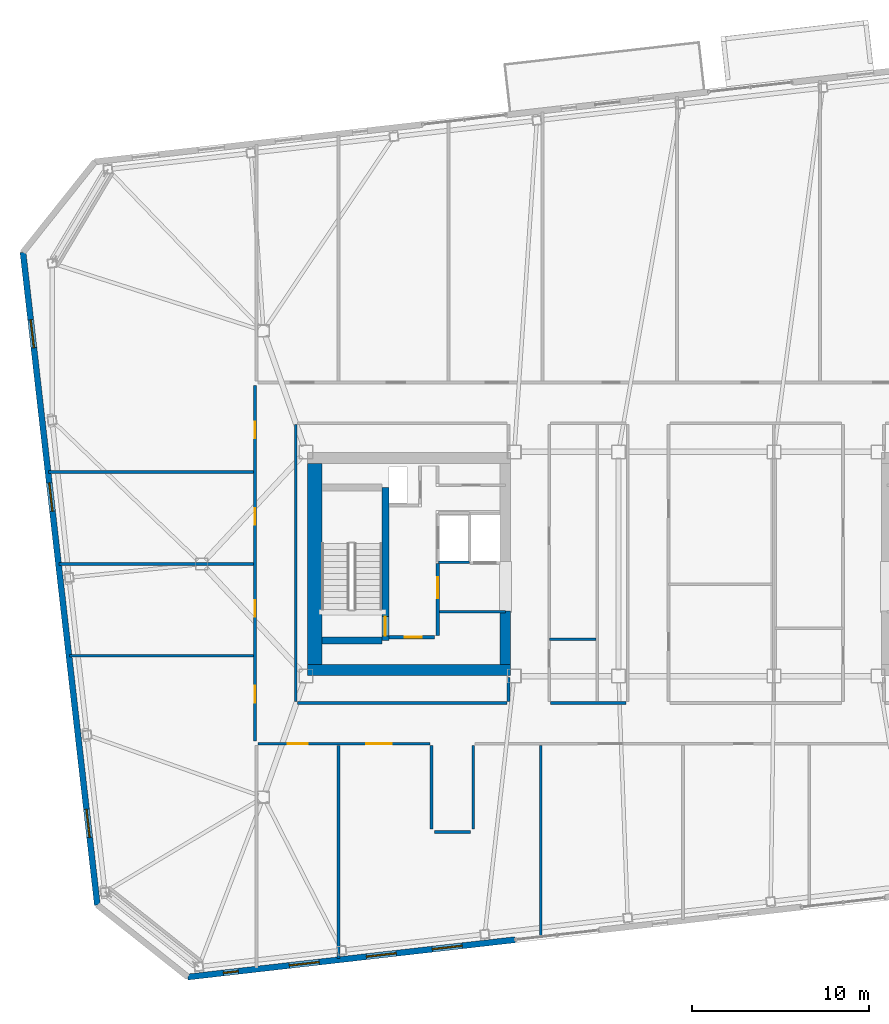
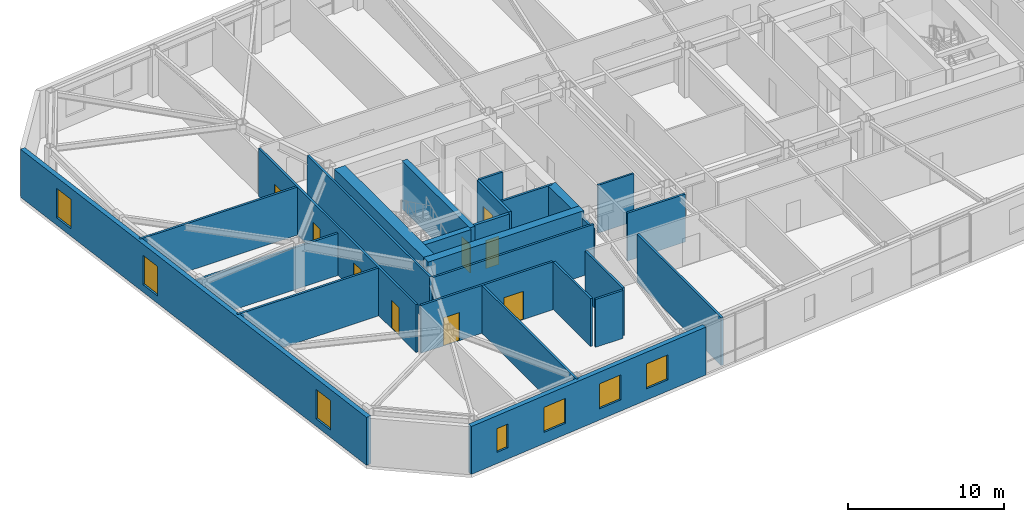
# One storey, part 12 of 20: 26 walls, 9 doors, 7 windows, 16 openings.
"""IFC4 building model written with IfcOpenShell, lengths in metres."""

from ifc_helpers import new_model, si_unit, direction, frame, frame_2d, origin, place, context, subcontext, project, spatial, rectangle, extrude, material, layer, layer_set, type_object, element, fill, save


model = new_model("IFC4")

# Units and contexts
model_context = context("Model", 3, precision=1e-05, world=origin(), true_north=direction((0.0, 1.0)))
body_context = subcontext(model_context, "Body", "Model", "MODEL_VIEW")
ifc_project = project(units=[si_unit("LENGTHUNIT", "METRE"), si_unit("AREAUNIT", "SQUARE_METRE"), si_unit("VOLUMEUNIT", "CUBIC_METRE"), si_unit("PLANEANGLEUNIT", "RADIAN"), si_unit("MASSUNIT", "GRAM", prefix="KILO")], contexts=[model_context])

# Site, building, storey
site_placement = place(None, origin())
site = spatial("IfcSite", under=ifc_project, at=site_placement, CompositionType="ELEMENT")
building_placement = place(site_placement, origin())
building = spatial("IfcBuilding", under=site, at=building_placement, Name="Tavrogorsk Clinical Tower", CompositionType="ELEMENT")
storey_placement = place(building_placement, frame((0.0, 0.0, 251.0)))
storey = spatial("IfcBuildingStorey", under=building, at=storey_placement, Name="L58", CompositionType="ELEMENT", Elevation=251.0)

# Wall, opening, door
ifc_material_1 = material(Name="Concrete B60", Category="concrete")
ifc_layer_1 = layer(ifc_material_1, 0.199951171875)
ifc_layer_set_1 = layer_set([ifc_layer_1], Name="Concrete B60")
wall_type_1 = type_object("IfcWallType", Name="CoreFireWall_200", PredefinedType="SOLIDWALL", material=ifc_layer_set_1)
wall_1_placement = place(storey_placement, frame((-17.3798828125, -4.139892578125, 0.0), z_axis=(0.0, 0.0, 1.0), x_axis=(1.0, 0.0, 0.0)))
wall_1 = element("IfcWall", 1, at=wall_1_placement, inside=storey, type_object=wall_type_1, Name="L58 Core West South Core Room Fire Wall", PredefinedType="SOLIDWALL", context=body_context, shape_type="SweptSolid", body=[
    extrude(rectangle(XDim=2.554931640625, YDim=0.199951171875, at=frame_2d((1.27734375, 0.0))), origin(), (0.0, 0.0, 1.0), 3.739990234375),
])
opening_1_placement = place(wall_1_placement, frame((0.8798828125, 0.0, 0.0)))
opening_1 = element("IfcOpeningElement", 2, at=opening_1_placement, cuts=wall_1, Name="Opening ID-02", PredefinedType="OPENING", context=body_context, shape_type="SweptSolid", body=[
    extrude(rectangle(XDim=0.949951171875, YDim=2.199951171875, at=frame_2d((0.47509765625, 1.10009765625))), frame((0.0, 0.10986328125, 0.0), z_axis=(0.0, -1.0, 0.0), x_axis=(1.0, 0.0, 0.0)), (0.0, 0.0, 1.0), 0.219970703125),
])
ifc_material_2 = material(Name="Laminated timber leaf on aluminium frame", Category="wood")
door_type_1 = type_object("IfcDoorType", Name="InteriorDoor_ID02_950", OperationType="NOTDEFINED", PredefinedType="DOOR", material=ifc_material_2)
door_1_placement = place(opening_1_placement, origin())
door_1 = element("IfcDoor", 3, at=door_1_placement, inside=storey, type_object=door_type_1, Name="L58 Core West South Core Room Door", OperationType="SINGLE_SWING_RIGHT", OverallHeight=2.199951171875, OverallWidth=0.949951171875, PredefinedType="DOOR", context=body_context, shape_type="SweptSolid", body=[
    extrude(rectangle(XDim=0.949951171875, YDim=2.199951171875, at=frame_2d((0.47509765625, 1.10009765625))), frame((0.0, 0.02490234375, 0.0), z_axis=(0.0, -1.0, 0.0), x_axis=(1.0, 0.0, 0.0)), (0.0, 0.0, 1.0), 0.050048828125),
])
fill(opening_1, door_1)

wall_2_placement = place(storey_placement, frame((-14.639892578125, -4.034912109375, 0.0), z_axis=(0.0, 0.0, 1.0), x_axis=(0.0, 1.0, 0.0)))
wall_2 = element("IfcWall", 4, at=wall_2_placement, inside=storey, type_object=wall_type_1, Name="L58 Core West Firefighting Lobby Fire Wall", PredefinedType="SOLIDWALL", context=body_context, shape_type="SweptSolid", body=[
    extrude(rectangle(XDim=4.074951171875, YDim=0.199951171875, at=frame_2d((2.03759765625, 0.0))), origin(), (0.0, 0.0, 1.0), 3.739990234375),
])
opening_2_placement = place(wall_2_placement, frame((2.090087890625, 0.0, 0.0)))
opening_2 = element("IfcOpeningElement", 5, at=opening_2_placement, cuts=wall_2, Name="Opening FD-01", PredefinedType="OPENING", context=body_context, shape_type="SweptSolid", body=[
    extrude(rectangle(XDim=1.199951171875, YDim=2.199951171875, at=frame_2d((0.60009765625, 1.10009765625))), frame((0.0, 0.10986328125, 0.0), z_axis=(0.0, -1.0, 0.0), x_axis=(1.0, 0.0, 0.0)), (0.0, 0.0, 1.0), 0.219970703125),
])
ifc_material_3 = material(Name="Galvanised steel fire-rated door assembly", Category="steel")
door_type_2 = type_object("IfcDoorType", Name="FireDoor_FD01_1200", OperationType="NOTDEFINED", PredefinedType="DOOR", material=ifc_material_3)
door_2_placement = place(opening_2_placement, origin())
door_2 = element("IfcDoor", 6, at=door_2_placement, inside=storey, type_object=door_type_2, Name="L58 Core West Firefighting Lobby Entry Door", OperationType="SINGLE_SWING_RIGHT", OverallHeight=2.199951171875, OverallWidth=1.199951171875, PredefinedType="DOOR", context=body_context, shape_type="SweptSolid", body=[
    extrude(rectangle(XDim=1.199951171875, YDim=2.199951171875, at=frame_2d((0.60009765625, 1.10009765625))), frame((0.0, 0.02490234375, 0.0), z_axis=(0.0, -1.0, 0.0), x_axis=(1.0, 0.0, 0.0)), (0.0, 0.0, 1.0), 0.050048828125),
])
fill(opening_2, door_2)

# Walls
ifc_material_4 = material(Name="Lightweight concrete blockwork B15", Category="masonry")
ifc_layer_2 = layer(ifc_material_4, 0.139892578125)
ifc_layer_set_2 = layer_set([ifc_layer_2], Name="Lightweight concrete blockwork B15")
wall_type_2 = type_object("IfcWallType", Name="PartitionWall_140", PredefinedType="PARTITIONING", material=ifc_layer_set_2)
wall_3_placement = place(storey_placement, frame((-8.31494140625, -4.25, 0.0), z_axis=(0.0, 0.0, 1.0), x_axis=(1.0, 0.0, 0.0)))
element("IfcWall", 7, at=wall_3_placement, inside=storey, type_object=wall_type_2, Name="L58 Central Spine Partition 4", PredefinedType="PARTITIONING", context=body_context, shape_type="SweptSolid", body=[
    extrude(rectangle(XDim=2.639892578125, YDim=0.139892578125, at=frame_2d((1.31982421875, 0.0))), origin(), (0.0, 0.0, 1.0), 3.739990234375),
])
ifc_material_5 = material(Name="Lightweight concrete blockwork B15", Category="masonry")
ifc_layer_3 = layer(ifc_material_5, 0.159912109375)
ifc_layer_set_3 = layer_set([ifc_layer_3], Name="Lightweight concrete blockwork B15")
wall_type_3 = type_object("IfcWallType", Name="PartitionWall_160", PredefinedType="PARTITIONING", material=ifc_layer_set_3)
wall_4_placement = place(storey_placement, frame((-14.534912109375, -2.699951171875, 0.0), z_axis=(0.0, 0.0, 1.0), x_axis=(1.0, 0.0, 0.0)))
element("IfcWall", 8, at=wall_4_placement, inside=storey, type_object=wall_type_3, Name="L58 Core West Freed Mid-Bank North Partition", PredefinedType="PARTITIONING", context=body_context, shape_type="SweptSolid", body=[
    extrude(rectangle(XDim=3.73486328125, YDim=0.159912109375, at=frame_2d((1.867431640625, 0.0))), origin(), (0.0, 0.0, 1.0), 3.739990234375),
])

# Wall, openings, doors
wall_5_placement = place(storey_placement, frame((-24.97998046875, -10.014892578125, 0.0), z_axis=(0.0, 0.0, 1.0), x_axis=(0.0, 1.0, 0.0)))
wall_5 = element("IfcWall", 9, at=wall_5_placement, inside=storey, type_object=wall_type_3, Name="L58 Corridor Partition 01", PredefinedType="PARTITIONING", context=body_context, shape_type="SweptSolid", body=[
    extrude(rectangle(XDim=20.1298828125, YDim=0.159912109375, at=frame_2d((10.06494140625, 0.0))), origin(), (0.0, 0.0, 1.0), 3.739990234375),
])
opening_3_placement = place(wall_5_placement, frame((2.169189453125, 0.0, 0.0)))
opening_3 = element("IfcOpeningElement", 10, at=opening_3_placement, cuts=wall_5, Name="Opening ID-02", PredefinedType="OPENING", context=body_context, shape_type="SweptSolid", body=[
    extrude(rectangle(XDim=0.949951171875, YDim=2.199951171875, at=frame_2d((0.47509765625, 1.10009765625))), frame((0.0, 0.08984375, 0.0), z_axis=(0.0, -1.0, 0.0), x_axis=(1.0, 0.0, 0.0)), (0.0, 0.0, 1.0), 0.179931640625),
])
opening_4_placement = place(wall_5_placement, frame((7.02490234375, 0.0, 0.0)))
opening_4 = element("IfcOpeningElement", 11, at=opening_4_placement, cuts=wall_5, Name="Opening ID-02", PredefinedType="OPENING", context=body_context, shape_type="SweptSolid", body=[
    extrude(rectangle(XDim=0.949951171875, YDim=2.199951171875, at=frame_2d((0.47509765625, 1.10009765625))), frame((0.0, 0.08984375, 0.0), z_axis=(0.0, -1.0, 0.0), x_axis=(1.0, 0.0, 0.0)), (0.0, 0.0, 1.0), 0.179931640625),
])
opening_5_placement = place(wall_5_placement, frame((12.22509765625, 0.0, 0.0)))
opening_5 = element("IfcOpeningElement", 12, at=opening_5_placement, cuts=wall_5, Name="Opening ID-02", PredefinedType="OPENING", context=body_context, shape_type="SweptSolid", body=[
    extrude(rectangle(XDim=0.949951171875, YDim=2.199951171875, at=frame_2d((0.47509765625, 1.10009765625))), frame((0.0, 0.08984375, 0.0), z_axis=(0.0, -1.0, 0.0), x_axis=(1.0, 0.0, 0.0)), (0.0, 0.0, 1.0), 0.179931640625),
])
opening_6_placement = place(wall_5_placement, frame((17.130859375, 0.0, 0.0)))
opening_6 = element("IfcOpeningElement", 13, at=opening_6_placement, cuts=wall_5, Name="Opening ID-02", PredefinedType="OPENING", context=body_context, shape_type="SweptSolid", body=[
    extrude(rectangle(XDim=0.949951171875, YDim=2.199951171875, at=frame_2d((0.47509765625, 1.10009765625))), frame((0.0, 0.08984375, 0.0), z_axis=(0.0, -1.0, 0.0), x_axis=(1.0, 0.0, 0.0)), (0.0, 0.0, 1.0), 0.179931640625),
])
door_3_placement = place(opening_3_placement, origin())
door_3 = element("IfcDoor", 14, at=door_3_placement, inside=storey, type_object=door_type_1, Name="L58 W Solarium Day Room & Lounge 1 Door", OperationType="SINGLE_SWING_LEFT", OverallHeight=2.199951171875, OverallWidth=0.949951171875, PredefinedType="DOOR", context=body_context, shape_type="SweptSolid", body=[
    extrude(rectangle(XDim=0.949951171875, YDim=2.199951171875, at=frame_2d((0.47509765625, 1.10009765625))), frame((0.0, 0.02490234375, 0.0), z_axis=(0.0, -1.0, 0.0), x_axis=(1.0, 0.0, 0.0)), (0.0, 0.0, 1.0), 0.050048828125),
])
fill(opening_3, door_3)
door_4_placement = place(opening_4_placement, origin())
door_4 = element("IfcDoor", 15, at=door_4_placement, inside=storey, type_object=door_type_1, Name="L58 W Rehabilitation Therapy Suite 2 Door", OperationType="SINGLE_SWING_RIGHT", OverallHeight=2.199951171875, OverallWidth=0.949951171875, PredefinedType="DOOR", context=body_context, shape_type="SweptSolid", body=[
    extrude(rectangle(XDim=0.949951171875, YDim=2.199951171875, at=frame_2d((0.47509765625, 1.10009765625))), frame((0.0, 0.02490234375, 0.0), z_axis=(0.0, -1.0, 0.0), x_axis=(1.0, 0.0, 0.0)), (0.0, 0.0, 1.0), 0.050048828125),
])
fill(opening_4, door_4)
door_5_placement = place(opening_5_placement, origin())
door_5 = element("IfcDoor", 16, at=door_5_placement, inside=storey, type_object=door_type_1, Name="L58 W Sub-Acute Observation Suite 3 Door", OperationType="SINGLE_SWING_LEFT", OverallHeight=2.199951171875, OverallWidth=0.949951171875, PredefinedType="DOOR", context=body_context, shape_type="SweptSolid", body=[
    extrude(rectangle(XDim=0.949951171875, YDim=2.199951171875, at=frame_2d((0.47509765625, 1.10009765625))), frame((0.0, 0.02490234375, 0.0), z_axis=(0.0, -1.0, 0.0), x_axis=(1.0, 0.0, 0.0)), (0.0, 0.0, 1.0), 0.050048828125),
])
fill(opening_5, door_5)
door_6_placement = place(opening_6_placement, origin())
door_6 = element("IfcDoor", 17, at=door_6_placement, inside=storey, type_object=door_type_1, Name="L58 W Family Consultation Lounge 4 Door", OperationType="SINGLE_SWING_RIGHT", OverallHeight=2.199951171875, OverallWidth=0.949951171875, PredefinedType="DOOR", context=body_context, shape_type="SweptSolid", body=[
    extrude(rectangle(XDim=0.949951171875, YDim=2.199951171875, at=frame_2d((0.47509765625, 1.10009765625))), frame((0.0, 0.02490234375, 0.0), z_axis=(0.0, -1.0, 0.0), x_axis=(1.0, 0.0, 0.0)), (0.0, 0.0, 1.0), 0.050048828125),
])
fill(opening_6, door_6)

# Walls
wall_6_placement = place(storey_placement, frame((-12.6201171875, -10.264892578125, 0.0), z_axis=(0.0, 0.0, 1.0), x_axis=(0.0, -1.0, 0.0)))
element("IfcWall", 18, at=wall_6_placement, inside=storey, type_object=wall_type_3, Name="L58 Corridor Partition 05", PredefinedType="PARTITIONING", context=body_context, shape_type="SweptSolid", body=[
    extrude(rectangle(XDim=4.75, YDim=0.159912109375, at=frame_2d((2.375, 0.0))), origin(), (0.0, 0.0, 1.0), 3.739990234375),
])
wall_7_placement = place(storey_placement, frame((-12.784912109375, -15.179931640625, 0.0), z_axis=(0.0, 0.0, 1.0), x_axis=(-1.0, 0.0, 0.0)))
element("IfcWall", 19, at=wall_7_placement, inside=storey, type_object=wall_type_3, Name="L58 Corridor Partition 06", PredefinedType="PARTITIONING", context=body_context, shape_type="SweptSolid", body=[
    extrude(rectangle(XDim=2.030029296875, YDim=0.159912109375, at=frame_2d((1.01513671875, 0.0))), origin(), (0.0, 0.0, 1.0), 3.739990234375),
])
wall_8_placement = place(storey_placement, frame((-14.97998046875, -15.014892578125, 0.0), z_axis=(0.0, 0.0, 1.0), x_axis=(0.0, 1.0, 0.0)))
element("IfcWall", 20, at=wall_8_placement, inside=storey, type_object=wall_type_3, Name="L58 Corridor Partition 07", PredefinedType="PARTITIONING", context=body_context, shape_type="SweptSolid", body=[
    extrude(rectangle(XDim=4.75, YDim=0.159912109375, at=frame_2d((2.375, 0.0))), origin(), (0.0, 0.0, 1.0), 3.739990234375),
])

# Wall, openings, doors
wall_9_placement = place(storey_placement, frame((-15.06494140625, -10.179931640625, 0.0), z_axis=(0.0, 0.0, 1.0), x_axis=(-1.0, 0.0, 0.0)))
wall_9 = element("IfcWall", 21, at=wall_9_placement, inside=storey, type_object=wall_type_3, Name="L58 Corridor Partition 08", PredefinedType="PARTITIONING", context=body_context, shape_type="SweptSolid", body=[
    extrude(rectangle(XDim=9.75, YDim=0.159912109375, at=frame_2d((4.875, 0.0))), origin(), (0.0, 0.0, 1.0), 3.739990234375),
])
opening_7_placement = place(wall_9_placement, frame((6.92578125, 0.0, 0.0)))
opening_7 = element("IfcOpeningElement", 22, at=opening_7_placement, cuts=wall_9, Name="Opening ID-06", PredefinedType="OPENING", context=body_context, shape_type="SweptSolid", body=[
    extrude(rectangle(XDim=1.14990234375, YDim=2.199951171875, at=frame_2d((0.574951171875, 1.10009765625))), frame((0.0, 0.08984375, 0.0), z_axis=(0.0, -1.0, 0.0), x_axis=(1.0, 0.0, 0.0)), (0.0, 0.0, 1.0), 0.179931640625),
])
opening_8_placement = place(wall_9_placement, frame((2.17919921875, 0.0, 0.0)))
opening_8 = element("IfcOpeningElement", 23, at=opening_8_placement, cuts=wall_9, Name="Opening ID-05", PredefinedType="OPENING", context=body_context, shape_type="SweptSolid", body=[
    extrude(rectangle(XDim=1.449951171875, YDim=2.199951171875, at=frame_2d((0.72509765625, 1.10009765625))), frame((0.0, 0.08984375, 0.0), z_axis=(0.0, -1.0, 0.0), x_axis=(1.0, 0.0, 0.0)), (0.0, 0.0, 1.0), 0.179931640625),
])
ifc_material_6 = material(Name="Antibacterial HPL bariatric ward double door")
door_type_3 = type_object("IfcDoorType", Name="DoubleWardDoor_ID05_1450", OperationType="DOUBLE_SWING_LEFT", PredefinedType="DOOR", material=ifc_material_6)
door_7_placement = place(opening_8_placement, origin())
door_7 = element("IfcDoor", 24, at=door_7_placement, inside=storey, type_object=door_type_3, Name="L58 South Bariatric Observation Ward 02 Door", OperationType="DOUBLE_SWING_LEFT", OverallHeight=2.199951171875, OverallWidth=1.449951171875, PredefinedType="DOOR", context=body_context, shape_type="SweptSolid", body=[
    extrude(rectangle(XDim=1.449951171875, YDim=2.199951171875, at=frame_2d((0.72509765625, 1.10009765625))), frame((0.0, 0.02490234375, 0.0), z_axis=(0.0, -1.0, 0.0), x_axis=(1.0, 0.0, 0.0)), (0.0, 0.0, 1.0), 0.050048828125),
])
fill(opening_8, door_7)
ifc_material_7 = material(Name="Antibacterial HPL procedure door on aluminium frame", Category="aluminium")
door_type_4 = type_object("IfcDoorType", Name="LabDoor_ID06_1150", OperationType="NOTDEFINED", PredefinedType="DOOR", material=ifc_material_7)
door_8_placement = place(opening_7_placement, origin())
door_8 = element("IfcDoor", 25, at=door_8_placement, inside=storey, type_object=door_type_4, Name="L58 South Staff Rest & Nourishment Lounge 01 Door", OperationType="SINGLE_SWING_LEFT", OverallHeight=2.199951171875, OverallWidth=1.14990234375, PredefinedType="DOOR", context=body_context, shape_type="SweptSolid", body=[
    extrude(rectangle(XDim=1.14990234375, YDim=2.199951171875, at=frame_2d((0.574951171875, 1.10009765625))), frame((0.0, 0.02490234375, 0.0), z_axis=(0.0, -1.0, 0.0), x_axis=(1.0, 0.0, 0.0)), (0.0, 0.0, 1.0), 0.050048828125),
])
fill(opening_7, door_8)

# Walls
wall_10_placement = place(storey_placement, frame((-8.235107421875, -7.8701171875, 0.0), z_axis=(0.0, 0.0, 1.0), x_axis=(1.0, 0.0, 0.0)))
element("IfcWall", 26, at=wall_10_placement, inside=storey, type_object=wall_type_3, Name="L58 Corridor Partition 21", PredefinedType="PARTITIONING", context=body_context, shape_type="SweptSolid", body=[
    extrude(rectangle(XDim=4.27001953125, YDim=0.159912109375, at=frame_2d((2.135009765625, 0.0))), origin(), (0.0, 0.0, 1.0), 3.739990234375),
])
wall_11_placement = place(storey_placement, frame((-10.6298828125, -7.784912109375, 0.0), z_axis=(0.0, 0.0, 1.0), x_axis=(0.0, 1.0, 0.0)))
element("IfcWall", 27, at=wall_11_placement, inside=storey, type_object=wall_type_3, Name="L58 Corridor Partition 22", PredefinedType="PARTITIONING", context=body_context, shape_type="SweptSolid", body=[
    extrude(rectangle(XDim=1.364990234375, YDim=0.159912109375, at=frame_2d((0.6826171875, 0.0))), origin(), (0.0, 0.0, 1.0), 3.284912109375),
])
wall_12_placement = place(storey_placement, frame((-22.669921875, 7.885009765625, 0.0), z_axis=(0.0, 0.0, 1.0), x_axis=(0.0, -1.0, 0.0)))
element("IfcWall", 28, at=wall_12_placement, inside=storey, type_object=wall_type_3, Name="L58 Corridor Partition 25", PredefinedType="PARTITIONING", context=body_context, shape_type="SweptSolid", body=[
    extrude(rectangle(XDim=15.669921875, YDim=0.159912109375, at=frame_2d((7.8349609375, 0.0))), origin(), (0.0, 0.0, 1.0), 3.739990234375),
])
wall_13_placement = place(storey_placement, frame((-22.5849609375, -7.8701171875, 0.0), z_axis=(0.0, 0.0, 1.0), x_axis=(1.0, 0.0, 0.0)))
element("IfcWall", 29, at=wall_13_placement, inside=storey, type_object=wall_type_3, Name="L58 Corridor Partition 26", PredefinedType="PARTITIONING", context=body_context, shape_type="SweptSolid", body=[
    extrude(rectangle(XDim=11.869873046875, YDim=0.159912109375, at=frame_2d((5.93505859375, 0.0))), origin(), (0.0, 0.0, 1.0), 3.739990234375),
])
wall_14_placement = place(storey_placement, frame((-20.25, -22.343505859375, 0.0), z_axis=(0.0, 0.0, 1.0), x_axis=(0.0, 1.0, 0.0)))
element("IfcWall", 30, at=wall_14_placement, inside=storey, type_object=wall_type_3, Name="L58 South Room Partition 1", PredefinedType="PARTITIONING", context=body_context, shape_type="SweptSolid", body=[
    extrude(rectangle(XDim=12.07861328125, YDim=0.159912109375, at=frame_2d((6.039306640625, 0.0))), origin(), (0.0, 0.0, 1.0), 3.739990234375),
])
wall_15_placement = place(storey_placement, frame((-8.800048828125, -21.0390625, 0.0), z_axis=(0.0, 0.0, 1.0), x_axis=(0.0, 1.0, 0.0)))
element("IfcWall", 31, at=wall_15_placement, inside=storey, type_object=wall_type_3, Name="L58 South Room Partition 2", PredefinedType="PARTITIONING", context=body_context, shape_type="SweptSolid", body=[
    extrude(rectangle(XDim=10.774169921875, YDim=0.159912109375, at=frame_2d((5.38720703125, 0.0))), origin(), (0.0, 0.0, 1.0), 3.739990234375),
])
wall_16_placement = place(storey_placement, frame((-35.494384765625, -5.199951171875, 0.0), z_axis=(0.0, 0.0, 1.0), x_axis=(1.0, 0.0, 0.0)))
element("IfcWall", 32, at=wall_16_placement, inside=storey, type_object=wall_type_3, Name="L58 W Wing Divider 1", PredefinedType="PARTITIONING", context=body_context, shape_type="SweptSolid", body=[
    extrude(rectangle(XDim=10.429443359375, YDim=0.159912109375, at=frame_2d((5.21484375, 0.0))), origin(), (0.0, 0.0, 1.0), 3.739990234375),
])
wall_17_placement = place(storey_placement, frame((-36.0869140625, 0.0, 0.0), z_axis=(0.0, 0.0, 1.0), x_axis=(1.0, 0.0, 0.0)))
element("IfcWall", 33, at=wall_17_placement, inside=storey, type_object=wall_type_3, Name="L58 W Wing Divider 2", PredefinedType="PARTITIONING", context=body_context, shape_type="SweptSolid", body=[
    extrude(rectangle(XDim=11.02197265625, YDim=0.159912109375, at=frame_2d((5.510986328125, 0.0))), origin(), (0.0, 0.0, 1.0), 3.284912109375),
])
wall_18_placement = place(storey_placement, frame((-36.679443359375, 5.199951171875, 0.0), z_axis=(0.0, 0.0, 1.0), x_axis=(1.0, 0.0, 0.0)))
element("IfcWall", 34, at=wall_18_placement, inside=storey, type_object=wall_type_3, Name="L58 W Wing Divider 3", PredefinedType="PARTITIONING", context=body_context, shape_type="SweptSolid", body=[
    extrude(rectangle(XDim=11.614501953125, YDim=0.159912109375, at=frame_2d((5.80712890625, 0.0))), origin(), (0.0, 0.0, 1.0), 3.739990234375),
])

# Wall, openings, windows
ifc_material_8 = material(Name="Precast concrete B45 with limestone cladding", Category="masonry")
ifc_layer_4 = layer(ifc_material_8, 0.340087890625)
ifc_layer_set_4 = layer_set([ifc_layer_4], Name="Precast concrete B45 with limestone cladding")
wall_type_4 = type_object("IfcWallType", Name="PrecastLimestoneWall_340", PredefinedType="STANDARD", material=ifc_layer_set_4)
wall_19_placement = place(storey_placement, frame((-28.78271484375, -23.38623046875, 0.0), z_axis=(0.0, 0.0, 1.0), x_axis=(0.993572271362, 0.113199565282, 0.0)))
wall_19 = element("IfcWall", 35, at=wall_19_placement, inside=storey, type_object=wall_type_4, Name="L58 S Limestone Facade Wall 1", PredefinedType="STANDARD", context=body_context, shape_type="SweptSolid", body=[
    extrude(rectangle(XDim=18.6513671875, YDim=0.340087890625, at=frame_2d((9.32568359375, 0.0))), origin(), (0.0, 0.0, 1.0), 3.739990234375),
])
opening_9_placement = place(wall_19_placement, frame((2.030029296875, 0.0, 0.8798828125)))
opening_9 = element("IfcOpeningElement", 36, at=opening_9_placement, cuts=wall_19, Name="Opening WN-06", PredefinedType="OPENING", context=body_context, shape_type="SweptSolid", body=[
    extrude(rectangle(XDim=0.85009765625, YDim=1.85009765625, at=frame_2d((0.425048828125, 0.925048828125))), frame((0.0, 0.179931640625, 0.0), z_axis=(0.0, -1.0, 0.0), x_axis=(1.0, 0.0, 0.0)), (0.0, 0.0, 1.0), 0.360107421875),
])
opening_10_placement = place(wall_19_placement, frame((5.778564453125, 0.0, 0.8798828125)))
opening_10 = element("IfcOpeningElement", 37, at=opening_10_placement, cuts=wall_19, Name="Opening WN-15", PredefinedType="OPENING", context=body_context, shape_type="SweptSolid", body=[
    extrude(rectangle(XDim=1.699951171875, YDim=1.949951171875, at=frame_2d((0.85009765625, 0.97509765625))), frame((0.0, 0.179931640625, 0.0), z_axis=(0.0, -1.0, 0.0), x_axis=(1.0, 0.0, 0.0)), (0.0, 0.0, 1.0), 0.360107421875),
])
opening_11_placement = place(wall_19_placement, frame((10.1787109375, 0.0, 0.8798828125)))
opening_11 = element("IfcOpeningElement", 38, at=opening_11_placement, cuts=wall_19, Name="Opening WN-15", PredefinedType="OPENING", context=body_context, shape_type="SweptSolid", body=[
    extrude(rectangle(XDim=1.699951171875, YDim=1.949951171875, at=frame_2d((0.85009765625, 0.97509765625))), frame((0.0, 0.179931640625, 0.0), z_axis=(0.0, -1.0, 0.0), x_axis=(1.0, 0.0, 0.0)), (0.0, 0.0, 1.0), 0.360107421875),
])
opening_12_placement = place(wall_19_placement, frame((13.927001953125, 0.0, 0.8798828125)))
opening_12 = element("IfcOpeningElement", 39, at=opening_12_placement, cuts=wall_19, Name="Opening WN-15", PredefinedType="OPENING", context=body_context, shape_type="SweptSolid", body=[
    extrude(rectangle(XDim=1.699951171875, YDim=1.949951171875, at=frame_2d((0.85009765625, 0.97509765625))), frame((0.0, 0.179931640625, 0.0), z_axis=(0.0, -1.0, 0.0), x_axis=(1.0, 0.0, 0.0)), (0.0, 0.0, 1.0), 0.360107421875),
])
ifc_material_9 = material(Name="Thermally broken aluminium frame and triple IGU", Category="aluminium")
window_type_1 = type_object("IfcWindowType", Name="MullionSubWin_850x1850", PartitioningType="SINGLE_PANEL", PredefinedType="WINDOW", material=ifc_material_9)
window_1_placement = place(opening_9_placement, origin())
window_1 = element("IfcWindow", 40, at=window_1_placement, inside=storey, type_object=window_type_1, Name="L58 S Mullion Split Window 01A", OverallHeight=1.85009765625, OverallWidth=0.85009765625, PartitioningType="SINGLE_PANEL", PredefinedType="WINDOW", context=body_context, shape_type="SweptSolid", body=[
    extrude(rectangle(XDim=0.85009765625, YDim=1.85009765625, at=frame_2d((0.425048828125, 0.925048828125))), frame((0.0, 0.030029296875, 0.0), z_axis=(0.0, -1.0, 0.0), x_axis=(1.0, 0.0, 0.0)), (0.0, 0.0, 1.0), 0.06005859375),
])
fill(opening_9, window_1)
ifc_material_10 = material(Name="Thermally broken aluminium frame and triple IGU", Category="aluminium")
window_type_2 = type_object("IfcWindowType", Name="OfficeChicagoWin_1700x1950", PartitioningType="SINGLE_PANEL", PredefinedType="WINDOW", material=ifc_material_10)
window_2_placement = place(opening_10_placement, origin())
window_2 = element("IfcWindow", 41, at=window_2_placement, inside=storey, type_object=window_type_2, Name="L58 S Chicago Window 02", OverallHeight=1.949951171875, OverallWidth=1.699951171875, PartitioningType="SINGLE_PANEL", PredefinedType="WINDOW", context=body_context, shape_type="SweptSolid", body=[
    extrude(rectangle(XDim=1.699951171875, YDim=1.949951171875, at=frame_2d((0.85009765625, 0.97509765625))), frame((0.0, 0.030029296875, 0.0), z_axis=(0.0, -1.0, 0.0), x_axis=(1.0, 0.0, 0.0)), (0.0, 0.0, 1.0), 0.06005859375),
])
fill(opening_10, window_2)
window_3_placement = place(opening_11_placement, origin())
window_3 = element("IfcWindow", 42, at=window_3_placement, inside=storey, type_object=window_type_2, Name="L58 S Chicago Window 03", OverallHeight=1.949951171875, OverallWidth=1.699951171875, PartitioningType="SINGLE_PANEL", PredefinedType="WINDOW", context=body_context, shape_type="SweptSolid", body=[
    extrude(rectangle(XDim=1.699951171875, YDim=1.949951171875, at=frame_2d((0.85009765625, 0.97509765625))), frame((0.0, 0.030029296875, 0.0), z_axis=(0.0, -1.0, 0.0), x_axis=(1.0, 0.0, 0.0)), (0.0, 0.0, 1.0), 0.06005859375),
])
fill(opening_11, window_3)
window_4_placement = place(opening_12_placement, origin())
window_4 = element("IfcWindow", 43, at=window_4_placement, inside=storey, type_object=window_type_2, Name="L58 S Chicago Window 04", OverallHeight=1.949951171875, OverallWidth=1.699951171875, PartitioningType="SINGLE_PANEL", PredefinedType="WINDOW", context=body_context, shape_type="SweptSolid", body=[
    extrude(rectangle(XDim=1.699951171875, YDim=1.949951171875, at=frame_2d((0.85009765625, 0.97509765625))), frame((0.0, 0.030029296875, 0.0), z_axis=(0.0, -1.0, 0.0), x_axis=(1.0, 0.0, 0.0)), (0.0, 0.0, 1.0), 0.06005859375),
])
fill(opening_12, window_4)

wall_20_placement = place(storey_placement, frame((-38.1181640625, 17.65087890625, 0.0), z_axis=(0.0, 0.0, 1.0), x_axis=(0.11320360501, -0.9935718111, 0.0)))
wall_20 = element("IfcWall", 44, at=wall_20_placement, inside=storey, type_object=wall_type_4, Name="L58 W Pleated Limestone Wing Wall", PredefinedType="STANDARD", context=body_context, shape_type="SweptSolid", body=[
    extrude(rectangle(XDim=37.199951171875, YDim=0.340087890625, at=frame_2d((18.60009765625, 0.0))), origin(), (0.0, 0.0, 1.0), 3.739990234375),
])
opening_13_placement = place(wall_20_placement, frame((3.85009765625, 0.0, 0.580078125)))
opening_13 = element("IfcOpeningElement", 45, at=opening_13_placement, cuts=wall_20, Name="Opening WN-07", PredefinedType="OPENING", context=body_context, shape_type="SweptSolid", body=[
    extrude(rectangle(XDim=1.60009765625, YDim=2.300048828125, at=frame_2d((0.800048828125, 1.14990234375))), frame((0.0, 0.179931640625, 0.0), z_axis=(0.0, -1.0, 0.0), x_axis=(1.0, 0.0, 0.0)), (0.0, 0.0, 1.0), 0.360107421875),
])
opening_14_placement = place(wall_20_placement, frame((13.14990234375, 0.0, 0.580078125)))
opening_14 = element("IfcOpeningElement", 46, at=opening_14_placement, cuts=wall_20, Name="Opening WN-07", PredefinedType="OPENING", context=body_context, shape_type="SweptSolid", body=[
    extrude(rectangle(XDim=1.60009765625, YDim=2.300048828125, at=frame_2d((0.800048828125, 1.14990234375))), frame((0.0, 0.179931640625, 0.0), z_axis=(0.0, -1.0, 0.0), x_axis=(1.0, 0.0, 0.0)), (0.0, 0.0, 1.0), 0.360107421875),
])
opening_15_placement = place(wall_20_placement, frame((31.75, 0.0, 0.580078125)))
opening_15 = element("IfcOpeningElement", 47, at=opening_15_placement, cuts=wall_20, Name="Opening WN-07", PredefinedType="OPENING", context=body_context, shape_type="SweptSolid", body=[
    extrude(rectangle(XDim=1.60009765625, YDim=2.300048828125, at=frame_2d((0.800048828125, 1.14990234375))), frame((0.0, 0.179931640625, 0.0), z_axis=(0.0, -1.0, 0.0), x_axis=(1.0, 0.0, 0.0)), (0.0, 0.0, 1.0), 0.360107421875),
])
ifc_material_11 = material(Name="Thermally broken aluminium frame and triple IGU", Category="aluminium")
window_type_3 = type_object("IfcWindowType", Name="PleatSlotWin_1600x2300", PartitioningType="SINGLE_PANEL", PredefinedType="WINDOW", material=ifc_material_11)
window_5_placement = place(opening_13_placement, origin())
window_5 = element("IfcWindow", 48, at=window_5_placement, inside=storey, type_object=window_type_3, Name="L58 W Pleat Slot Window 1", OverallHeight=2.300048828125, OverallWidth=1.60009765625, PartitioningType="SINGLE_PANEL", PredefinedType="WINDOW", context=body_context, shape_type="SweptSolid", body=[
    extrude(rectangle(XDim=1.60009765625, YDim=2.300048828125, at=frame_2d((0.800048828125, 1.14990234375))), frame((0.0, 0.030029296875, 0.0), z_axis=(0.0, -1.0, 0.0), x_axis=(1.0, 0.0, 0.0)), (0.0, 0.0, 1.0), 0.06005859375),
])
fill(opening_13, window_5)
window_6_placement = place(opening_14_placement, origin())
window_6 = element("IfcWindow", 49, at=window_6_placement, inside=storey, type_object=window_type_3, Name="L58 W Pleat Slot Window 2", OverallHeight=2.300048828125, OverallWidth=1.60009765625, PartitioningType="SINGLE_PANEL", PredefinedType="WINDOW", context=body_context, shape_type="SweptSolid", body=[
    extrude(rectangle(XDim=1.60009765625, YDim=2.300048828125, at=frame_2d((0.800048828125, 1.14990234375))), frame((0.0, 0.030029296875, 0.0), z_axis=(0.0, -1.0, 0.0), x_axis=(1.0, 0.0, 0.0)), (0.0, 0.0, 1.0), 0.06005859375),
])
fill(opening_14, window_6)
window_7_placement = place(opening_15_placement, origin())
window_7 = element("IfcWindow", 50, at=window_7_placement, inside=storey, type_object=window_type_3, Name="L58 W Pleat Slot Window 4", OverallHeight=2.300048828125, OverallWidth=1.60009765625, PartitioningType="SINGLE_PANEL", PredefinedType="WINDOW", context=body_context, shape_type="SweptSolid", body=[
    extrude(rectangle(XDim=1.60009765625, YDim=2.300048828125, at=frame_2d((0.800048828125, 1.14990234375))), frame((0.0, 0.030029296875, 0.0), z_axis=(0.0, -1.0, 0.0), x_axis=(1.0, 0.0, 0.0)), (0.0, 0.0, 1.0), 0.06005859375),
])
fill(opening_15, window_7)

# Wall
ifc_material_12 = material(Name="Lightweight concrete blockwork B25", Category="masonry")
ifc_layer_5 = layer(ifc_material_12, 0.159912109375)
ifc_layer_set_5 = layer_set([ifc_layer_5], Name="Lightweight concrete blockwork B25")
wall_type_5 = type_object("IfcWallType", Name="ShaftWall_160", PredefinedType="PARTITIONING", material=ifc_layer_set_5)
wall_21_placement = place(storey_placement, frame((-14.60009765625, 0.10009765625, 0.0), z_axis=(0.0, 0.0, 1.0), x_axis=(1.0, 0.0, 0.0)))
element("IfcWall", 51, at=wall_21_placement, inside=storey, type_object=wall_type_5, Name="L58 FFL-W Shaft South Wall", PredefinedType="PARTITIONING", context=body_context, shape_type="SweptSolid", body=[
    extrude(rectangle(XDim=1.760009765625, YDim=0.159912109375, at=frame_2d((0.8798828125, 0.0))), origin(), (0.0, 0.0, 1.0), 3.739990234375),
])

# Wall, opening, door
ifc_material_13 = material(Name="Concrete B80", Category="concrete")
ifc_layer_6 = layer(ifc_material_13, 0.39990234375)
ifc_layer_set_6 = layer_set([ifc_layer_6], Name="Concrete B80")
wall_type_6 = type_object("IfcWallType", Name="ShearWall_400", PredefinedType="SHEAR", material=ifc_layer_set_6)
wall_22_placement = place(storey_placement, frame((-17.60009765625, -4.324951171875, 0.0), z_axis=(0.0, 0.0, 1.0), x_axis=(0.0, 1.0, 0.0)))
wall_22 = element("IfcWall", 52, at=wall_22_placement, inside=storey, type_object=wall_type_6, Name="L58 Core West Stair Shaft Inner Shear Wall", PredefinedType="SHEAR", context=body_context, shape_type="SweptSolid", body=[
    extrude(rectangle(XDim=8.64990234375, YDim=0.39990234375, at=frame_2d((4.324951171875, 0.0))), origin(), (0.0, 0.0, 1.0), 3.739990234375),
])
opening_16_placement = place(wall_22_placement, frame((0.25, 0.0, 0.0)))
opening_16 = element("IfcOpeningElement", 53, at=opening_16_placement, cuts=wall_22, Name="Opening SD-01", PredefinedType="OPENING", context=body_context, shape_type="SweptSolid", body=[
    extrude(rectangle(XDim=1.10009765625, YDim=2.199951171875, at=frame_2d((0.550048828125, 1.10009765625))), frame((0.0, 0.2099609375, 0.0), z_axis=(0.0, -1.0, 0.0), x_axis=(1.0, 0.0, 0.0)), (0.0, 0.0, 1.0), 0.419921875),
])
ifc_material_14 = material(Name="Galvanised steel smoke-tight fire door assembly", Category="steel")
door_type_5 = type_object("IfcDoorType", Name="StairFireDoor_SD01_1100", OperationType="NOTDEFINED", PredefinedType="DOOR", material=ifc_material_14)
door_9_placement = place(opening_16_placement, origin())
door_9 = element("IfcDoor", 54, at=door_9_placement, inside=storey, type_object=door_type_5, Name="L58 ST-W Exit Stair Door", OperationType="SINGLE_SWING_LEFT", OverallHeight=2.199951171875, OverallWidth=1.10009765625, PredefinedType="DOOR", context=body_context, shape_type="SweptSolid", body=[
    extrude(rectangle(XDim=1.10009765625, YDim=2.199951171875, at=frame_2d((0.550048828125, 1.10009765625))), frame((0.0, 0.02490234375, 0.0), z_axis=(0.0, -1.0, 0.0), x_axis=(1.0, 0.0, 0.0)), (0.0, 0.0, 1.0), 0.050048828125),
])
fill(opening_16, door_9)

# Walls
wall_23_placement = place(storey_placement, frame((-21.199951171875, -4.324951171875, 0.0), z_axis=(0.0, 0.0, 1.0), x_axis=(1.0, 0.0, 0.0)))
element("IfcWall", 55, at=wall_23_placement, inside=storey, type_object=wall_type_6, Name="L58 Core West Stair Shaft South Shear Wall", PredefinedType="SHEAR", context=body_context, shape_type="SweptSolid", body=[
    extrude(rectangle(XDim=3.39990234375, YDim=0.39990234375, at=frame_2d((1.699951171875, 0.0))), origin(), (0.0, 0.0, 1.0), 3.739990234375),
])
ifc_material_15 = material(Name="Concrete B80", Category="concrete")
ifc_layer_7 = layer(ifc_material_15, 0.60009765625)
ifc_layer_set_7 = layer_set([ifc_layer_7], Name="Concrete B80")
wall_type_7 = type_object("IfcWallType", Name="ShearWall_600", PredefinedType="SHEAR", material=ifc_layer_set_7)
wall_24_placement = place(storey_placement, frame((-22.0, -6.0, 0.0), z_axis=(0.0, 0.0, 1.0), x_axis=(1.0, 0.0, 0.0)))
element("IfcWall", 56, at=wall_24_placement, inside=storey, type_object=wall_type_7, Name="L58 Core West South Shear Wall", PredefinedType="SHEAR", context=body_context, shape_type="SweptSolid", body=[
    extrude(rectangle(XDim=11.5, YDim=0.60009765625, at=frame_2d((5.75, 0.0))), origin(), (0.0, 0.0, 1.0), 3.739990234375),
])
wall_25_placement = place(storey_placement, frame((-10.800048828125, -5.699951171875, 0.0), z_axis=(0.0, 0.0, 1.0), x_axis=(0.0, 1.0, 0.0)))
element("IfcWall", 57, at=wall_25_placement, inside=storey, type_object=wall_type_7, Name="L58 Core West Inner South Pier", PredefinedType="SHEAR", context=body_context, shape_type="SweptSolid", body=[
    extrude(rectangle(XDim=3.050048828125, YDim=0.60009765625, at=frame_2d((1.52490234375, 0.0))), origin(), (0.0, 0.0, 1.0), 3.739990234375),
])
ifc_material_16 = material(Name="Concrete B80", Category="concrete")
ifc_layer_8 = layer(ifc_material_16, 0.800048828125)
ifc_layer_set_8 = layer_set([ifc_layer_8], Name="Concrete B80")
wall_type_8 = type_object("IfcWallType", Name="ShearWall_800", PredefinedType="SHEAR", material=ifc_layer_set_8)
wall_26_placement = place(storey_placement, frame((-21.60009765625, -5.699951171875, 0.0), z_axis=(0.0, 0.0, 1.0), x_axis=(0.0, 1.0, 0.0)))
element("IfcWall", 58, at=wall_26_placement, inside=storey, type_object=wall_type_8, Name="L58 Core West End Shear Wall", PredefinedType="SHEAR", context=body_context, shape_type="SweptSolid", body=[
    extrude(rectangle(XDim=11.39990234375, YDim=0.800048828125, at=frame_2d((5.699951171875, 0.0))), origin(), (0.0, 0.0, 1.0), 3.739990234375),
])

save(model, "model.ifc")
